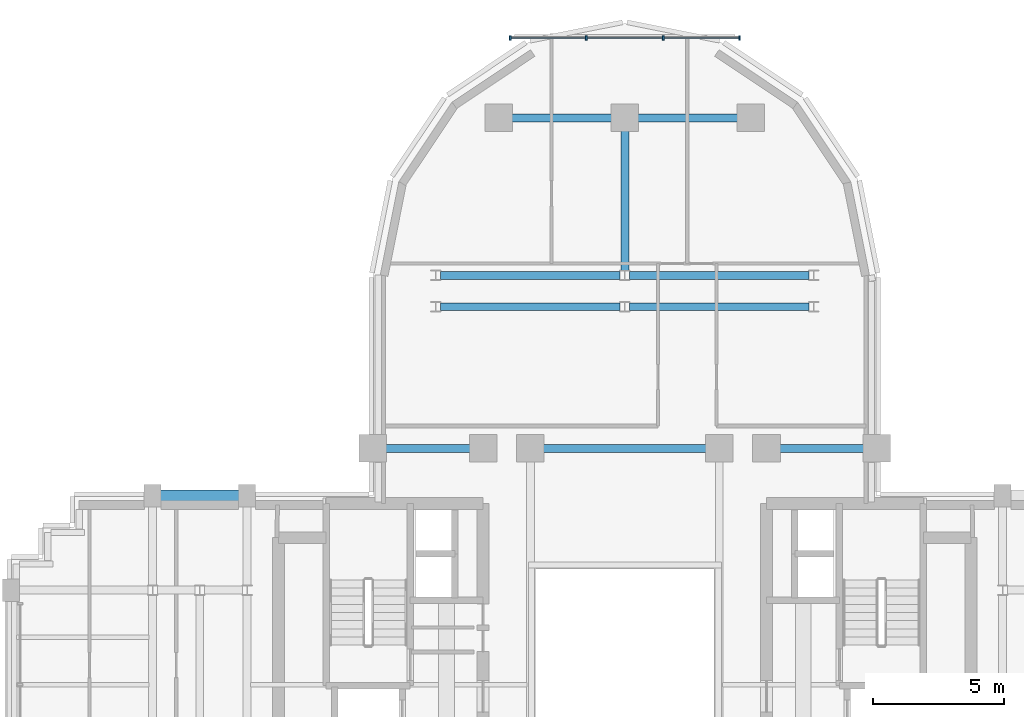
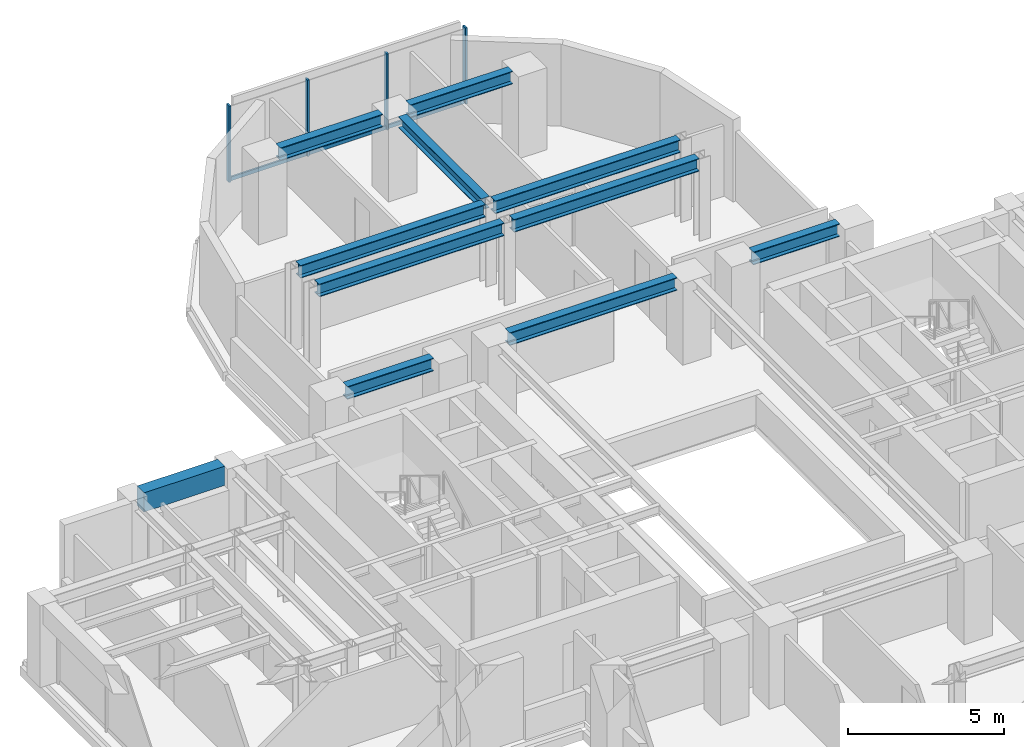
# One storey, part 6 of 14: 11 beams, 7 members, 1 element without a shape of its own.
"""IFC4 building model written with IfcOpenShell, lengths in metres."""

from ifc_helpers import new_model, si_unit, direction, frame, origin, origin_2d, place, context, subcontext, project, spatial, rectangle, i_section, extrude, source, transform, mapped, material, material_profile, profile_set, type_object, element, aggregate, save


model = new_model("IFC4")

# Units and contexts
model_context = context("Model", 3, precision=1e-05, world=origin(), true_north=direction((0.0, 1.0)))
body_context = subcontext(model_context, "Body", "Model", "MODEL_VIEW")
ifc_project = project(units=[si_unit("LENGTHUNIT", "METRE"), si_unit("AREAUNIT", "SQUARE_METRE"), si_unit("VOLUMEUNIT", "CUBIC_METRE"), si_unit("PLANEANGLEUNIT", "RADIAN"), si_unit("MASSUNIT", "GRAM", prefix="KILO")], contexts=[model_context])

# Site, building, storey
site_placement = place(None, origin())
site = spatial("IfcSite", under=ifc_project, at=site_placement, CompositionType="ELEMENT")
building_placement = place(site_placement, origin())
building = spatial("IfcBuilding", under=site, at=building_placement, Name="Keilestroom Media Tower", CompositionType="ELEMENT")
storey_placement = place(building_placement, frame((0.0, 0.0, 117.60009765625)))
storey = spatial("IfcBuildingStorey", under=building, at=storey_placement, Name="L31", CompositionType="ELEMENT", Elevation=117.60009765625)

# Beams
ifc_material_1 = material(Name="Steel S355", Category="steel")
ifc_material_profile_1 = material_profile(ifc_material_1, i_section(OverallWidth=0.300048828125, OverallDepth=0.5, WebThickness=0.012451171875, FlangeThickness=0.028076171875, at=origin_2d()), Name="HEB 500")
ifc_profile_set_1 = profile_set([ifc_material_profile_1], Name="Steel S355")
beam_type_1 = type_object("IfcBeamType", Name="Primary-Structural-Girder-HEB-500", PredefinedType="BEAM", material=ifc_profile_set_1)
shared_shape_1 = source(origin(), body_context, "Body", "SweptSolid", [
    extrude(i_section(OverallWidth=0.300048828125, OverallDepth=0.5, WebThickness=0.012451171875, FlangeThickness=0.028076171875, at=origin_2d()), origin(), (0.0, 0.0, 1.0), 3.7900390625),
])
for number, where, z_axis, x_axis, name in (
    (1, (-4.294921875, 21.60009765625, 2.949951171875), (1.0, 0.0, 0.0), (0.0, 1.0, 0.0), "L31 Beam BG-6 BM-L31-EW-037"),
    (2, (0.5048828125, 21.60009765625, 2.949951171875), (1.0, 0.0, 0.0), (0.0, 1.0, 0.0), "L31 Beam BG-6 BM-L31-EW-038"),
):
    element("IfcBeam", number, at=place(storey_placement, frame(where, z_axis=z_axis, x_axis=x_axis)), inside=storey, type_object=beam_type_1, Name=name, PredefinedType="BEAM", context=body_context, shape_type="MappedRepresentation", body=[
        mapped(shared_shape_1, transform((0.0, 0.0, 0.0), x_axis=(1.0, 0.0, 0.0), y_axis=(0.0, 1.0, 0.0), z_axis=(0.0, 0.0, 1.0), scale=1.0)),
    ])
shared_shape_2 = source(origin(), body_context, "Body", "SweptSolid", [
    extrude(i_section(OverallWidth=0.300048828125, OverallDepth=0.5, WebThickness=0.012451171875, FlangeThickness=0.028076171875, at=origin_2d()), origin(), (0.0, 0.0, 1.0), 6.839111328125),
])
for number, where, z_axis, x_axis, name in (
    (3, (-7.01953125, 14.39990234375, 2.949951171875), (1.0, 0.0, 0.0), (0.0, 1.0, 0.0), "L31 Beam BG-6 BM-L31-EW-033"),
    (4, (0.180419921875, 14.39990234375, 2.949951171875), (1.0, 0.0, 0.0), (0.0, 1.0, 0.0), "L31 Beam BG-6 BM-L31-EW-034"),
    (5, (-7.01953125, 15.60009765625, 2.949951171875), (1.0, 0.0, 0.0), (0.0, 1.0, 0.0), "L31 Beam BG-6 BM-L31-EW-035"),
    (6, (0.180419921875, 15.60009765625, 2.949951171875), (1.0, 0.0, 0.0), (0.0, 1.0, 0.0), "L31 Beam BG-6 BM-L31-EW-036"),
):
    element("IfcBeam", number, at=place(storey_placement, frame(where, z_axis=z_axis, x_axis=x_axis)), inside=storey, type_object=beam_type_1, Name=name, PredefinedType="BEAM", context=body_context, shape_type="MappedRepresentation", body=[
        mapped(shared_shape_2, transform((0.0, 0.0, 0.0), x_axis=(1.0, 0.0, 0.0), y_axis=(0.0, 1.0, 0.0), z_axis=(0.0, 0.0, 1.0), scale=1.0)),
    ])
shared_shape_3 = source(origin(), body_context, "Body", "SweptSolid", [
    extrude(i_section(OverallWidth=0.300048828125, OverallDepth=0.5, WebThickness=0.012451171875, FlangeThickness=0.028076171875, at=origin_2d()), origin(), (0.0, 0.0, 1.0), 3.18994140625),
])
for number, where, z_axis, x_axis, name in (
    (7, (-9.094970703125, 9.0, 2.949951171875), (1.0, 0.0, 0.0), (0.0, 1.0, 0.0), "L31 Beam BG-6 BM-L31-EW-028"),
    (8, (5.905029296875, 9.0, 2.949951171875), (1.0, 0.0, 0.0), (0.0, 1.0, 0.0), "L31 Beam BG-6 BM-L31-EW-032"),
):
    element("IfcBeam", number, at=place(storey_placement, frame(where, z_axis=z_axis, x_axis=x_axis)), inside=storey, type_object=beam_type_1, Name=name, PredefinedType="BEAM", context=body_context, shape_type="MappedRepresentation", body=[
        mapped(shared_shape_3, transform((0.0, 0.0, 0.0), x_axis=(1.0, 0.0, 0.0), y_axis=(0.0, 1.0, 0.0), z_axis=(0.0, 0.0, 1.0), scale=1.0)),
    ])
shared_shape_4 = source(origin(), body_context, "Body", "SweptSolid", [
    extrude(i_section(OverallWidth=0.300048828125, OverallDepth=0.5, WebThickness=0.012451171875, FlangeThickness=0.028076171875, at=origin_2d()), origin(), (0.0, 0.0, 1.0), 6.18994140625),
])
beam_1_placement = place(storey_placement, frame((-3.094970703125, 9.0, 2.949951171875), z_axis=(1.0, 0.0, 0.0), x_axis=(0.0, 1.0, 0.0)))
element("IfcBeam", 9, at=beam_1_placement, inside=storey, type_object=beam_type_1, Name="L31 Beam BG-6 BM-L31-EW-030", PredefinedType="BEAM", context=body_context, shape_type="MappedRepresentation", body=[
    mapped(shared_shape_4, transform((0.0, 0.0, 0.0), x_axis=(1.0, 0.0, 0.0), y_axis=(0.0, 1.0, 0.0), z_axis=(0.0, 0.0, 1.0), scale=1.0)),
])
ifc_material_2 = material(Name="Precast concrete C40/50", Category="concrete")
ifc_material_profile_2 = material_profile(ifc_material_2, rectangle(XDim=0.449951171875, YDim=0.75, at=origin_2d()), Name="PC 450x750")
ifc_profile_set_2 = profile_set([ifc_material_profile_2], Name="Precast concrete C40/50")
beam_type_2 = type_object("IfcBeamType", Name="Perimeter-Spandrel-Beam-PC-450x750", PredefinedType="SPANDREL", material=ifc_profile_set_2)
shared_shape_5 = source(origin(), body_context, "Body", "SweptSolid", [
    extrude(rectangle(XDim=0.449951171875, YDim=0.75, at=origin_2d()), origin(), (0.0, 0.0, 1.0), 2.989990234375),
])
beam_2_placement = place(storey_placement, frame((-17.695068359375, 7.199951171875, 2.824951171875), z_axis=(1.0, 0.0, 0.0), x_axis=(0.0, 1.0, 0.0)))
element("IfcBeam", 10, at=beam_2_placement, inside=storey, type_object=beam_type_2, Name="L31 Beam SPB-1 BM-L31-EW-026", PredefinedType="SPANDREL", context=body_context, shape_type="MappedRepresentation", body=[
    mapped(shared_shape_5, transform((0.0, 0.0, 0.0), x_axis=(1.0, 0.0, 0.0), y_axis=(0.0, 1.0, 0.0), z_axis=(0.0, 0.0, 1.0), scale=1.0)),
])
ifc_material_profile_3 = material_profile(ifc_material_1, i_section(OverallWidth=0.300048828125, OverallDepth=0.43994140625, WebThickness=0.011474609375, FlangeThickness=0.02099609375, at=origin_2d()), Name="HEA 450")
ifc_profile_set_3 = profile_set([ifc_material_profile_3], Name="Steel S355")
beam_type_3 = type_object("IfcBeamType", Name="Primary-Structural-Girder-HEA-450", PredefinedType="BEAM", material=ifc_profile_set_3)
shared_shape_6 = source(origin(), body_context, "Body", "SweptSolid", [
    extrude(i_section(OverallWidth=0.300048828125, OverallDepth=0.43994140625, WebThickness=0.011474609375, FlangeThickness=0.02099609375, at=origin_2d()), origin(), (0.0, 0.0, 1.0), 5.3154296875),
])
beam_3_placement = place(storey_placement, frame((0.0, 15.779541015625, 2.97998046875), z_axis=(0.0, 1.0, 0.0), x_axis=(-1.0, 0.0, 0.0)))
element("IfcBeam", 11, at=beam_3_placement, inside=storey, type_object=beam_type_3, Name="L31 Beam BG-11 BM-L31-NS-055", PredefinedType="BEAM", context=body_context, shape_type="MappedRepresentation", body=[
    mapped(shared_shape_6, transform((0.0, 0.0, 0.0), x_axis=(1.0, 0.0, 0.0), y_axis=(0.0, 1.0, 0.0), z_axis=(0.0, 0.0, 1.0), scale=1.0)),
])

# Curtain wall, members
ifc_material_3 = material(Name="Anodised Aluminium Alloy", Category="aluminium")
curtain_wall_type = type_object("IfcCurtainWallType", Name="Unitised-Curtain-Wall-CW-6", PredefinedType="NOTDEFINED", material=ifc_material_3)
curtain_wall_placement = place(storey_placement, origin())
curtain_wall = element("IfcCurtainWall", 12, at=curtain_wall_placement, inside=storey, type_object=curtain_wall_type, Name="L31 Curtain Wall CW-6 CW-L31-LN-1", PredefinedType="NOTDEFINED")
ifc_material_profile_4 = material_profile(ifc_material_3, rectangle(XDim=0.06494140625, YDim=0.179931640625, at=origin_2d()), Name="ALU MULLION 65x180")
ifc_profile_set_4 = profile_set([ifc_material_profile_4], Name="Anodised Aluminium Alloy")
member_type_1 = type_object("IfcMemberType", Name="Curtain-Wall-Mullion-CW-6", PredefinedType="MULLION", material=ifc_profile_set_4)
shared_shape_7 = source(origin(), body_context, "Body", "SweptSolid", [
    extrude(rectangle(XDim=0.06494140625, YDim=0.179931640625, at=origin_2d()), origin(), (0.0, 0.0, 1.0), 2.97998046875),
])
member_1_placement = place(storey_placement, frame((-4.367431640625, 24.64990234375, 0.0), z_axis=(0.0, 0.0, 1.0), x_axis=(1.0, 0.0, 0.0)))
member_1 = element("IfcMember", 13, at=member_1_placement, type_object=member_type_1, Name="CW-6 Mullion 00", PredefinedType="MULLION", context=body_context, shape_type="MappedRepresentation", body=[
    mapped(shared_shape_7, transform((0.0, 0.0, 0.0), x_axis=(1.0, 0.0, 0.0), y_axis=(0.0, 1.0, 0.0), z_axis=(0.0, 0.0, 1.0), scale=1.0)),
])
member_2_placement = place(storey_placement, frame((-1.466796875, 24.64990234375, 0.0), z_axis=(0.0, 0.0, 1.0), x_axis=(1.0, 0.0, 0.0)))
member_2 = element("IfcMember", 14, at=member_2_placement, type_object=member_type_1, Name="CW-6 Mullion 01", PredefinedType="MULLION", context=body_context, shape_type="MappedRepresentation", body=[
    mapped(shared_shape_7, transform((0.0, 0.0, 0.0), x_axis=(1.0, 0.0, 0.0), y_axis=(0.0, 1.0, 0.0), z_axis=(0.0, 0.0, 1.0), scale=1.0)),
])
member_3_placement = place(storey_placement, frame((1.466796875, 24.64990234375, 0.0), z_axis=(0.0, 0.0, 1.0), x_axis=(1.0, 0.0, 0.0)))
member_3 = element("IfcMember", 15, at=member_3_placement, type_object=member_type_1, Name="CW-6 Mullion 02", PredefinedType="MULLION", context=body_context, shape_type="MappedRepresentation", body=[
    mapped(shared_shape_7, transform((0.0, 0.0, 0.0), x_axis=(1.0, 0.0, 0.0), y_axis=(0.0, 1.0, 0.0), z_axis=(0.0, 0.0, 1.0), scale=1.0)),
])
member_4_placement = place(storey_placement, frame((4.367431640625, 24.64990234375, 0.0), z_axis=(0.0, 0.0, 1.0), x_axis=(1.0, 0.0, 0.0)))
member_4 = element("IfcMember", 16, at=member_4_placement, type_object=member_type_1, Name="CW-6 Mullion 03", PredefinedType="MULLION", context=body_context, shape_type="MappedRepresentation", body=[
    mapped(shared_shape_7, transform((0.0, 0.0, 0.0), x_axis=(1.0, 0.0, 0.0), y_axis=(0.0, 1.0, 0.0), z_axis=(0.0, 0.0, 1.0), scale=1.0)),
])
ifc_material_profile_5 = material_profile(ifc_material_3, rectangle(XDim=0.06494140625, YDim=0.14990234375, at=origin_2d()), Name="ALU TRANSOM 65x150")
ifc_profile_set_5 = profile_set([ifc_material_profile_5], Name="Anodised Aluminium Alloy")
member_type_2 = type_object("IfcMemberType", Name="Curtain-Wall-Transom-CW-6", PredefinedType="USERDEFINED", material=ifc_profile_set_5)
shared_shape_8 = source(origin(), body_context, "Body", "SweptSolid", [
    extrude(rectangle(XDim=0.06494140625, YDim=0.14990234375, at=origin_2d()), origin(), (0.0, 0.0, 1.0), 2.839599609375),
])
member_5_placement = place(storey_placement, frame((-4.3369140625, 24.64990234375, 0.074951171875), z_axis=(1.0, 0.0, 0.0), x_axis=(0.0, 1.0, 0.0)))
member_5 = element("IfcMember", 17, at=member_5_placement, type_object=member_type_2, Name="CW-6 Transom 00.1", ObjectType="TRANSOM", PredefinedType="USERDEFINED", context=body_context, shape_type="MappedRepresentation", body=[
    mapped(shared_shape_8, transform((0.0, 0.0, 0.0), x_axis=(1.0, 0.0, 0.0), y_axis=(0.0, 1.0, 0.0), z_axis=(0.0, 0.0, 1.0), scale=1.0)),
])
member_6_placement = place(storey_placement, frame((1.497314453125, 24.64990234375, 0.074951171875), z_axis=(1.0, 0.0, 0.0), x_axis=(0.0, 1.0, 0.0)))
member_6 = element("IfcMember", 18, at=member_6_placement, type_object=member_type_2, Name="CW-6 Transom 02.1", ObjectType="TRANSOM", PredefinedType="USERDEFINED", context=body_context, shape_type="MappedRepresentation", body=[
    mapped(shared_shape_8, transform((0.0, 0.0, 0.0), x_axis=(1.0, 0.0, 0.0), y_axis=(0.0, 1.0, 0.0), z_axis=(0.0, 0.0, 1.0), scale=1.0)),
])
shared_shape_9 = source(origin(), body_context, "Body", "SweptSolid", [
    extrude(rectangle(XDim=0.06494140625, YDim=0.14990234375, at=origin_2d()), origin(), (0.0, 0.0, 1.0), 2.87255859375),
])
member_7_placement = place(storey_placement, frame((-1.436279296875, 24.64990234375, 0.074951171875), z_axis=(1.0, 0.0, 0.0), x_axis=(0.0, 1.0, 0.0)))
member_7 = element("IfcMember", 19, at=member_7_placement, type_object=member_type_2, Name="CW-6 Transom 01.1", ObjectType="TRANSOM", PredefinedType="USERDEFINED", context=body_context, shape_type="MappedRepresentation", body=[
    mapped(shared_shape_9, transform((0.0, 0.0, 0.0), x_axis=(1.0, 0.0, 0.0), y_axis=(0.0, 1.0, 0.0), z_axis=(0.0, 0.0, 1.0), scale=1.0)),
])
aggregate(curtain_wall, [member_1, member_2, member_3, member_4, member_5, member_7, member_6])

save(model, "model.ifc")
